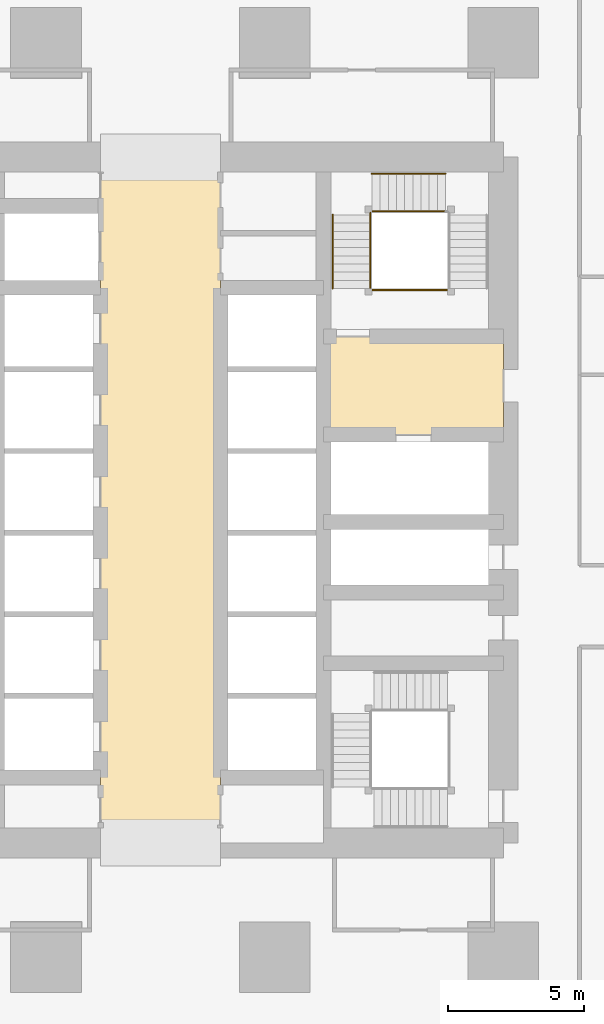
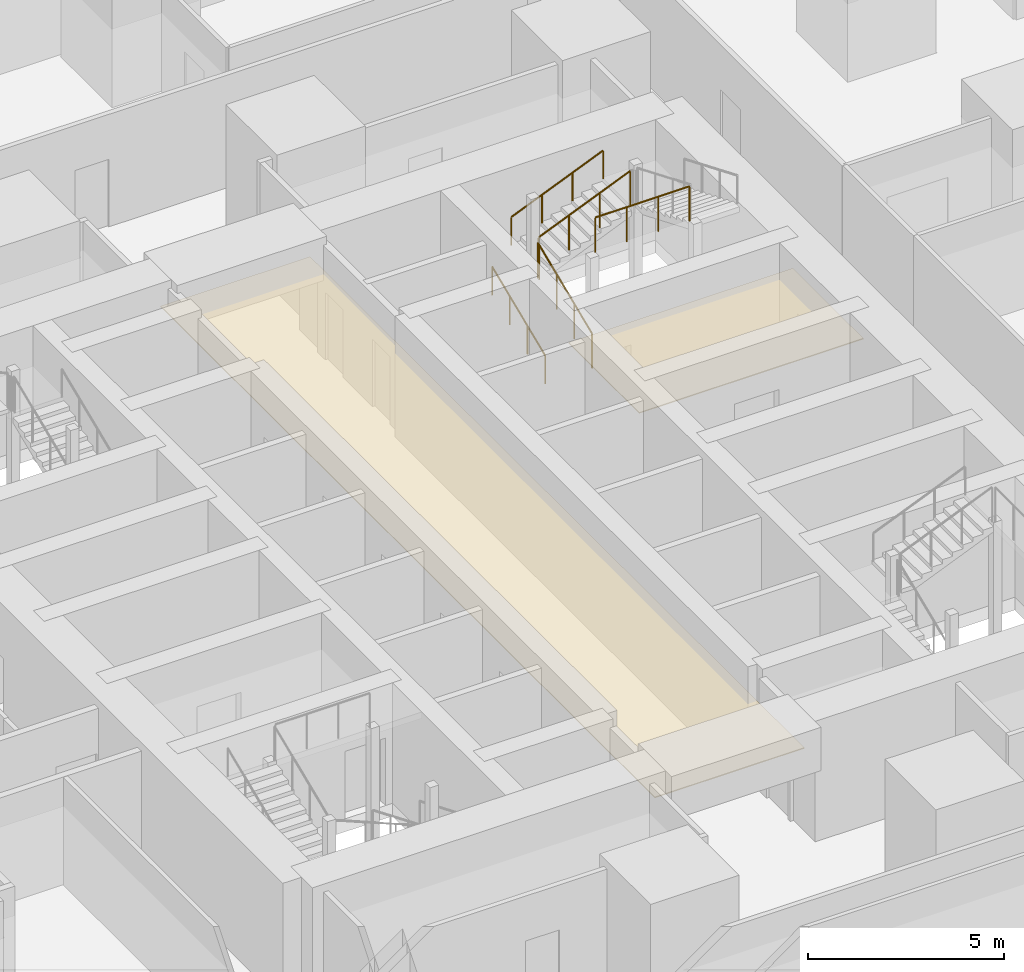
# One storey, part 33 of 35: 6 railings, 2 coverings.
"""IFC4 building model written with IfcOpenShell, lengths in metres."""

from ifc_helpers import new_model, si_unit, direction, frame, origin, origin_2d, place, context, subcontext, project, spatial, polyline, circle, outline, extrude, material, layer, layer_set, type_object, element, save


model = new_model("IFC4")

# Units and contexts
model_context = context("Model", 3, precision=1e-05, world=origin(), true_north=direction((0.0, 1.0)))
body_context = subcontext(model_context, "Body", "Model", "MODEL_VIEW")
ifc_project = project(units=[si_unit("LENGTHUNIT", "METRE"), si_unit("AREAUNIT", "SQUARE_METRE"), si_unit("VOLUMEUNIT", "CUBIC_METRE"), si_unit("PLANEANGLEUNIT", "RADIAN"), si_unit("MASSUNIT", "GRAM", prefix="KILO")], contexts=[model_context])

# Site, building, storey
site_placement = place(None, origin())
site = spatial("IfcSite", under=ifc_project, at=site_placement, CompositionType="ELEMENT")
building_placement = place(site_placement, origin())
building = spatial("IfcBuilding", under=site, at=building_placement, Name="Rekha Terrace Tower", CompositionType="ELEMENT")
storey_placement = place(building_placement, frame((0.0, 0.0, 25.39990234375)))
storey = spatial("IfcBuildingStorey", under=building, at=storey_placement, Name="L05", CompositionType="ELEMENT", Elevation=25.39990234375)

# Coverings
ifc_material_1 = material(Name="Powder-coated aluminium pan", Category="aluminium")
ifc_layer = layer(ifc_material_1, 0.030029296875)
ifc_layer_set = layer_set([ifc_layer], Name="Powder-coated aluminium pan")
covering_type = type_object("IfcCoveringType", Name="CL3 300x1200 metal pan ceiling", PredefinedType="CEILING", material=ifc_layer_set)
covering_1_placement = place(storey_placement, frame((0.0, 0.0, 2.570068359375)))
element("IfcCovering", 1, at=covering_1_placement, inside=storey, type_object=covering_type, Name="Ceiling L05-LOBBY", PredefinedType="CEILING", context=body_context, shape_type="SweptSolid", body=[
    extrude(outline(polyline([(40.0, 46.199951171875), (35.60009765625, 46.199951171875), (35.60009765625, 21.0), (40.0, 21.0), (40.0, 46.199951171875)])), origin(), (0.0, 0.0, 1.0), 0.030029296875),
])
covering_2_placement = place(storey_placement, frame((0.0, 0.0, 2.570068359375)))
element("IfcCovering", 2, at=covering_2_placement, inside=storey, type_object=covering_type, Name="Ceiling L05-FLB2", PredefinedType="CEILING", context=body_context, shape_type="SweptSolid", body=[
    extrude(outline(polyline([(50.39990234375, 39.60009765625), (43.800048828125, 39.60009765625), (43.800048828125, 36.0), (50.39990234375, 36.0), (50.39990234375, 39.60009765625)])), origin(), (0.0, 0.0, 1.0), 0.030029296875),
])

# Railings
ifc_material_2 = material(Name="Stainless steel balustrade", Category="steel")
railing_type_1 = type_object("IfcRailingType", Name="GR1 1100 stair guard", PredefinedType="GUARDRAIL", material=ifc_material_2)
railing_1_placement = place(storey_placement, frame((45.514892578125, 41.375, 0.125)))
element("IfcRailing", 3, at=railing_1_placement, inside=storey, type_object=railing_type_1, Name="Guard ST2 L05 flight 1", PredefinedType="GUARDRAIL", context=body_context, shape_type="SweptSolid", body=[
    extrude(circle(Radius=0.02392578125, at=origin_2d()), frame((0.0, 0.0, 1.076171875), z_axis=(0.0, 0.923074453586, 0.384621311341), x_axis=(-1.0, 0.0, 0.0)), (0.0, 0.0, 1.0), 2.925048828125),
    extrude(circle(Radius=0.02099609375, at=origin_2d()), origin(), (0.0, 0.0, 1.0), 1.052001953125),
    extrude(circle(Radius=0.02099609375, at=origin_2d()), frame((0.0, 0.89990234375, 0.375)), (0.0, 0.0, 1.0), 1.052001953125),
    extrude(circle(Radius=0.02099609375, at=origin_2d()), frame((0.0, 1.800048828125, 0.75)), (0.0, 0.0, 1.0), 1.052001953125),
    extrude(circle(Radius=0.02099609375, at=origin_2d()), frame((0.0, 2.699951171875, 1.125)), (0.0, 0.0, 1.0), 1.052001953125),
])
railing_2_placement = place(storey_placement, frame((45.574951171875, 44.2099609375, 1.375)))
element("IfcRailing", 4, at=railing_2_placement, inside=storey, type_object=railing_type_1, Name="Guard ST2 L05 flight 2", PredefinedType="GUARDRAIL", context=body_context, shape_type="SweptSolid", body=[
    extrude(circle(Radius=0.02392578125, at=origin_2d()), frame((0.0, 0.0, 1.076171875), z_axis=(0.923074453586, 0.0, 0.384621311341), x_axis=(0.0, 1.0, 0.0)), (0.0, 0.0, 1.0), 2.925048828125),
    extrude(circle(Radius=0.02099609375, at=origin_2d()), origin(), (0.0, 0.0, 1.0), 1.052001953125),
    extrude(circle(Radius=0.02099609375, at=origin_2d()), frame((0.89990234375, 0.0, 0.375)), (0.0, 0.0, 1.0), 1.052001953125),
    extrude(circle(Radius=0.02099609375, at=origin_2d()), frame((1.800048828125, 0.0, 0.75)), (0.0, 0.0, 1.0), 1.052001953125),
    extrude(circle(Radius=0.02099609375, at=origin_2d()), frame((2.699951171875, 0.0, 1.125)), (0.0, 0.0, 1.0), 1.052001953125),
])
railing_3_placement = place(storey_placement, frame((45.514892578125, 44.074951171875, 1.25)))
element("IfcRailing", 5, at=railing_3_placement, inside=storey, type_object=railing_type_1, Name="Guard ST2 L05 landing 1", PredefinedType="GUARDRAIL", context=body_context, shape_type="SweptSolid", body=[
    extrude(circle(Radius=0.02392578125, at=origin_2d()), frame((0.0, 0.0, 1.076171875), z_axis=(0.0, 1.0, 0.0), x_axis=(-1.0, 0.0, 0.0)), (0.0, 0.0, 1.0), 0.074951171875),
    extrude(circle(Radius=0.02099609375, at=origin_2d()), origin(), (0.0, 0.0, 1.0), 1.052001953125),
    extrude(circle(Radius=0.02099609375, at=origin_2d()), frame((0.0, 0.074951171875, 0.0)), (0.0, 0.0, 1.0), 1.052001953125),
])
railing_4_placement = place(storey_placement, frame((45.574951171875, 41.31494140625, 3.75)))
element("IfcRailing", 6, at=railing_4_placement, inside=storey, type_object=railing_type_1, Name="Guard ST2 L05 landing 4", PredefinedType="GUARDRAIL", context=body_context, shape_type="SweptSolid", body=[
    extrude(circle(Radius=0.02392578125, at=origin_2d()), frame((0.0, 0.0, 1.076171875), z_axis=(1.0, 0.0, 0.0), x_axis=(0.0, 1.0, 0.0)), (0.0, 0.0, 1.0), 2.775146484375),
    extrude(circle(Radius=0.02099609375, at=origin_2d()), origin(), (0.0, 0.0, 1.0), 1.052001953125),
    extrude(circle(Radius=0.02099609375, at=origin_2d()), frame((0.925048828125, 0.0, 0.0)), (0.0, 0.0, 1.0), 1.052001953125),
    extrude(circle(Radius=0.02099609375, at=origin_2d()), frame((1.85009765625, 0.0, 0.0)), (0.0, 0.0, 1.0), 1.052001953125),
    extrude(circle(Radius=0.02099609375, at=origin_2d()), frame((2.775146484375, 0.0, 0.0)), (0.0, 0.0, 1.0), 1.052001953125),
])
ifc_material_3 = material(Name="Stainless steel tube", Category="steel")
railing_type_2 = type_object("IfcRailingType", Name="HR1 900 stair handrail", PredefinedType="HANDRAIL", material=ifc_material_3)
railing_5_placement = place(storey_placement, frame((44.135009765625, 41.375, 0.125)))
element("IfcRailing", 7, at=railing_5_placement, inside=storey, type_object=railing_type_2, Name="Handrail ST2 L05 flight 1", PredefinedType="HANDRAIL", context=body_context, shape_type="SweptSolid", body=[
    extrude(circle(Radius=0.02392578125, at=origin_2d()), frame((0.0, 0.0, 0.8759765625), z_axis=(0.0, 0.923074453586, 0.384621311341), x_axis=(-1.0, 0.0, 0.0)), (0.0, 0.0, 1.0), 2.925048828125),
    extrude(circle(Radius=0.02099609375, at=origin_2d()), origin(), (0.0, 0.0, 1.0), 0.851806640625),
    extrude(circle(Radius=0.02099609375, at=origin_2d()), frame((0.0, 0.89990234375, 0.375)), (0.0, 0.0, 1.0), 0.851806640625),
    extrude(circle(Radius=0.02099609375, at=origin_2d()), frame((0.0, 1.800048828125, 0.75)), (0.0, 0.0, 1.0), 0.851806640625),
    extrude(circle(Radius=0.02099609375, at=origin_2d()), frame((0.0, 2.699951171875, 1.125)), (0.0, 0.0, 1.0), 0.851806640625),
])
railing_6_placement = place(storey_placement, frame((45.574951171875, 45.590087890625, 1.375)))
element("IfcRailing", 8, at=railing_6_placement, inside=storey, type_object=railing_type_2, Name="Handrail ST2 L05 flight 2", PredefinedType="HANDRAIL", context=body_context, shape_type="SweptSolid", body=[
    extrude(circle(Radius=0.02392578125, at=origin_2d()), frame((0.0, 0.0, 0.8759765625), z_axis=(0.923074453586, 0.0, 0.384621311341), x_axis=(0.0, 1.0, 0.0)), (0.0, 0.0, 1.0), 2.925048828125),
    extrude(circle(Radius=0.02099609375, at=origin_2d()), origin(), (0.0, 0.0, 1.0), 0.851806640625),
    extrude(circle(Radius=0.02099609375, at=origin_2d()), frame((0.89990234375, 0.0, 0.375)), (0.0, 0.0, 1.0), 0.851806640625),
    extrude(circle(Radius=0.02099609375, at=origin_2d()), frame((1.800048828125, 0.0, 0.75)), (0.0, 0.0, 1.0), 0.851806640625),
    extrude(circle(Radius=0.02099609375, at=origin_2d()), frame((2.699951171875, 0.0, 1.125)), (0.0, 0.0, 1.0), 0.851806640625),
])

save(model, "model.ifc")
